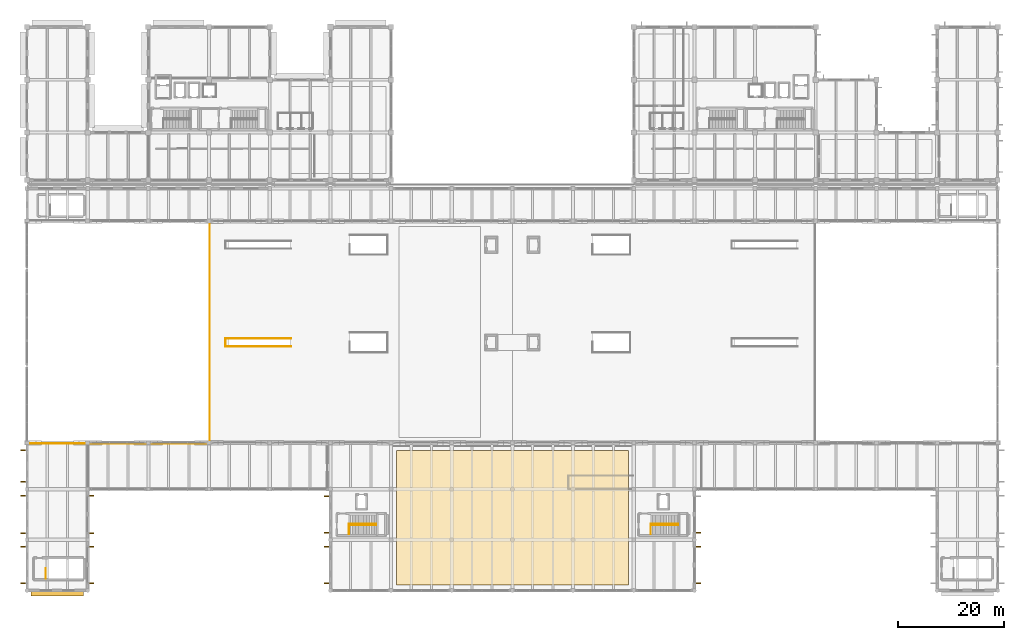
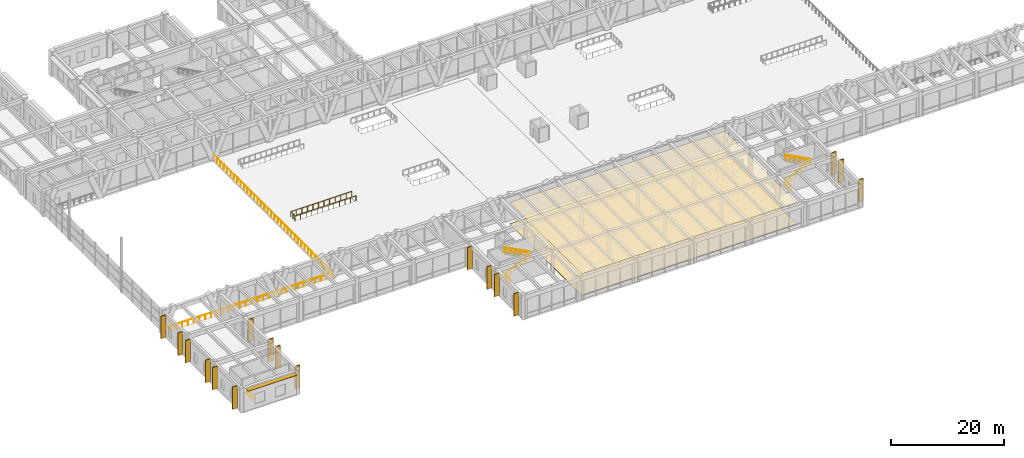
# One storey, part 142 of 148: 18 shading devices, 12 railings, 2 coverings.
"""IFC4 building model written with IfcOpenShell, lengths in metres."""

from ifc_helpers import new_model, si_unit, direction, frame, origin, origin_2d, place, context, subcontext, project, spatial, polyline, rectangle, circle, outline, extrude, material, layer, layer_set, type_object, element, save


model = new_model("IFC4")

# Units and contexts
model_context = context("Model", 3, precision=1e-05, world=origin(), true_north=direction((0.0, 1.0)))
body_context = subcontext(model_context, "Body", "Model", "MODEL_VIEW")
ifc_project = project(units=[si_unit("LENGTHUNIT", "METRE"), si_unit("AREAUNIT", "SQUARE_METRE"), si_unit("VOLUMEUNIT", "CUBIC_METRE"), si_unit("PLANEANGLEUNIT", "RADIAN"), si_unit("MASSUNIT", "GRAM", prefix="KILO")], contexts=[model_context])

# Site, building, storey
site_placement = place(None, origin())
site = spatial("IfcSite", under=ifc_project, at=site_placement, CompositionType="ELEMENT")
building_placement = place(site_placement, origin())
building = spatial("IfcBuilding", under=site, at=building_placement, Name="Ologun Quay Terminus", CompositionType="ELEMENT")
storey_placement = place(building_placement, frame((0.0, 0.0, 8.39990234375)))
storey = spatial("IfcBuildingStorey", under=building, at=storey_placement, Name="L02", CompositionType="ELEMENT", Elevation=8.39990234375)

# Railings
ifc_material_1 = material(Name="Glass", Category="glass")
railing_type_1 = type_object("IfcRailingType", Name="Concourse & Atrium Glazed Balustrade 1150", PredefinedType="BALUSTRADE", material=ifc_material_1)
railing_1_placement = place(storey_placement, frame((50.050048828125, 54.25, 0.0)))
element("IfcRailing", 1, at=railing_1_placement, inside=storey, type_object=railing_type_1, Name="BL-GL Escalator Well Balustrade ESC-01", PredefinedType="BALUSTRADE", context=body_context, shape_type="SweptSolid", body=[
    extrude(circle(Radius=0.02392578125, at=origin_2d()), frame((0.0, 0.0, 1.1259765625), z_axis=(-1.0, 0.0, 0.0), x_axis=(0.0, -1.0, 0.0)), (0.0, 0.0, 1.0), 12.449951171875),
    extrude(circle(Radius=0.02392578125, at=origin_2d()), frame((-12.449951171875, 0.0, 1.1259765625), z_axis=(0.0, 1.0, 0.0), x_axis=(-1.0, 0.0, 0.0)), (0.0, 0.0, 1.0), 1.5),
    extrude(circle(Radius=0.02392578125, at=origin_2d()), frame((-12.449951171875, 1.5, 1.1259765625), z_axis=(1.0, 0.0, 0.0), x_axis=(0.0, 1.0, 0.0)), (0.0, 0.0, 1.0), 12.449951171875),
    extrude(circle(Radius=0.02099609375, at=origin_2d()), origin(), (0.0, 0.0, 1.0), 1.101806640625),
    extrude(circle(Radius=0.02099609375, at=origin_2d()), frame((-1.1318359375, 0.0, 0.0)), (0.0, 0.0, 1.0), 1.101806640625),
    extrude(circle(Radius=0.02099609375, at=origin_2d()), frame((-2.263671875, 0.0, 0.0)), (0.0, 0.0, 1.0), 1.101806640625),
    extrude(circle(Radius=0.02099609375, at=origin_2d()), frame((-3.3955078125, 0.0, 0.0)), (0.0, 0.0, 1.0), 1.101806640625),
    extrude(circle(Radius=0.02099609375, at=origin_2d()), frame((-4.52734375, 0.0, 0.0)), (0.0, 0.0, 1.0), 1.101806640625),
    extrude(circle(Radius=0.02099609375, at=origin_2d()), frame((-5.6591796875, 0.0, 0.0)), (0.0, 0.0, 1.0), 1.101806640625),
    extrude(circle(Radius=0.02099609375, at=origin_2d()), frame((-6.790771484375, 0.0, 0.0)), (0.0, 0.0, 1.0), 1.101806640625),
    extrude(circle(Radius=0.02099609375, at=origin_2d()), frame((-7.922607421875, 0.0, 0.0)), (0.0, 0.0, 1.0), 1.101806640625),
    extrude(circle(Radius=0.02099609375, at=origin_2d()), frame((-9.054443359375, 0.0, 0.0)), (0.0, 0.0, 1.0), 1.101806640625),
    extrude(circle(Radius=0.02099609375, at=origin_2d()), frame((-10.186279296875, 0.0, 0.0)), (0.0, 0.0, 1.0), 1.101806640625),
    extrude(circle(Radius=0.02099609375, at=origin_2d()), frame((-11.318115234375, 0.0, 0.0)), (0.0, 0.0, 1.0), 1.101806640625),
    extrude(circle(Radius=0.02099609375, at=origin_2d()), frame((-12.449951171875, 0.0, 0.0)), (0.0, 0.0, 1.0), 1.101806640625),
    extrude(circle(Radius=0.02099609375, at=origin_2d()), frame((-12.449951171875, 0.75, 0.0)), (0.0, 0.0, 1.0), 1.101806640625),
    extrude(circle(Radius=0.02099609375, at=origin_2d()), frame((-12.449951171875, 1.5, 0.0)), (0.0, 0.0, 1.0), 1.101806640625),
    extrude(circle(Radius=0.02099609375, at=origin_2d()), frame((-11.318115234375, 1.5, 0.0)), (0.0, 0.0, 1.0), 1.101806640625),
    extrude(circle(Radius=0.02099609375, at=origin_2d()), frame((-10.186279296875, 1.5, 0.0)), (0.0, 0.0, 1.0), 1.101806640625),
    extrude(circle(Radius=0.02099609375, at=origin_2d()), frame((-9.054443359375, 1.5, 0.0)), (0.0, 0.0, 1.0), 1.101806640625),
    extrude(circle(Radius=0.02099609375, at=origin_2d()), frame((-7.922607421875, 1.5, 0.0)), (0.0, 0.0, 1.0), 1.101806640625),
    extrude(circle(Radius=0.02099609375, at=origin_2d()), frame((-6.790771484375, 1.5, 0.0)), (0.0, 0.0, 1.0), 1.101806640625),
    extrude(circle(Radius=0.02099609375, at=origin_2d()), frame((-5.6591796875, 1.5, 0.0)), (0.0, 0.0, 1.0), 1.101806640625),
    extrude(circle(Radius=0.02099609375, at=origin_2d()), frame((-4.52734375, 1.5, 0.0)), (0.0, 0.0, 1.0), 1.101806640625),
    extrude(circle(Radius=0.02099609375, at=origin_2d()), frame((-3.3955078125, 1.5, 0.0)), (0.0, 0.0, 1.0), 1.101806640625),
    extrude(circle(Radius=0.02099609375, at=origin_2d()), frame((-2.263671875, 1.5, 0.0)), (0.0, 0.0, 1.0), 1.101806640625),
    extrude(circle(Radius=0.02099609375, at=origin_2d()), frame((-1.1318359375, 1.5, 0.0)), (0.0, 0.0, 1.0), 1.101806640625),
    extrude(circle(Radius=0.02099609375, at=origin_2d()), frame((0.0, 1.5, 0.0)), (0.0, 0.0, 1.0), 1.101806640625),
])
railing_2_placement = place(storey_placement, frame((34.64990234375, 36.14990234375, 0.0)))
element("IfcRailing", 2, at=railing_2_placement, inside=storey, type_object=railing_type_1, Name="BL-GL Concourse Bridge W Balustrade L02", PredefinedType="BALUSTRADE", context=body_context, shape_type="SweptSolid", body=[
    extrude(circle(Radius=0.02392578125, at=origin_2d()), frame((0.0, 0.0, 1.1259765625), z_axis=(0.0, 1.0, 0.0), x_axis=(-1.0, 0.0, 0.0)), (0.0, 0.0, 1.0), 41.7001953125),
    extrude(circle(Radius=0.02099609375, at=origin_2d()), origin(), (0.0, 0.0, 1.0), 1.101806640625),
    extrude(circle(Radius=0.02099609375, at=origin_2d()), frame((0.0, 1.19140625, 0.0)), (0.0, 0.0, 1.0), 1.101806640625),
    extrude(circle(Radius=0.02099609375, at=origin_2d()), frame((0.0, 2.3828125, 0.0)), (0.0, 0.0, 1.0), 1.101806640625),
    extrude(circle(Radius=0.02099609375, at=origin_2d()), frame((0.0, 3.57421875, 0.0)), (0.0, 0.0, 1.0), 1.101806640625),
    extrude(circle(Radius=0.02099609375, at=origin_2d()), frame((0.0, 4.765625, 0.0)), (0.0, 0.0, 1.0), 1.101806640625),
    extrude(circle(Radius=0.02099609375, at=origin_2d()), frame((0.0, 5.957275390625, 0.0)), (0.0, 0.0, 1.0), 1.101806640625),
    extrude(circle(Radius=0.02099609375, at=origin_2d()), frame((0.0, 7.148681640625, 0.0)), (0.0, 0.0, 1.0), 1.101806640625),
    extrude(circle(Radius=0.02099609375, at=origin_2d()), frame((0.0, 8.340087890625, 0.0)), (0.0, 0.0, 1.0), 1.101806640625),
    extrude(circle(Radius=0.02099609375, at=origin_2d()), frame((0.0, 9.531494140625, 0.0)), (0.0, 0.0, 1.0), 1.101806640625),
    extrude(circle(Radius=0.02099609375, at=origin_2d()), frame((0.0, 10.722900390625, 0.0)), (0.0, 0.0, 1.0), 1.101806640625),
    extrude(circle(Radius=0.02099609375, at=origin_2d()), frame((0.0, 11.914306640625, 0.0)), (0.0, 0.0, 1.0), 1.101806640625),
    extrude(circle(Radius=0.02099609375, at=origin_2d()), frame((0.0, 13.105712890625, 0.0)), (0.0, 0.0, 1.0), 1.101806640625),
    extrude(circle(Radius=0.02099609375, at=origin_2d()), frame((0.0, 14.297119140625, 0.0)), (0.0, 0.0, 1.0), 1.101806640625),
    extrude(circle(Radius=0.02099609375, at=origin_2d()), frame((0.0, 15.488525390625, 0.0)), (0.0, 0.0, 1.0), 1.101806640625),
    extrude(circle(Radius=0.02099609375, at=origin_2d()), frame((0.0, 16.68017578125, 0.0)), (0.0, 0.0, 1.0), 1.101806640625),
    extrude(circle(Radius=0.02099609375, at=origin_2d()), frame((0.0, 17.87158203125, 0.0)), (0.0, 0.0, 1.0), 1.101806640625),
    extrude(circle(Radius=0.02099609375, at=origin_2d()), frame((0.0, 19.06298828125, 0.0)), (0.0, 0.0, 1.0), 1.101806640625),
    extrude(circle(Radius=0.02099609375, at=origin_2d()), frame((0.0, 20.25439453125, 0.0)), (0.0, 0.0, 1.0), 1.101806640625),
    extrude(circle(Radius=0.02099609375, at=origin_2d()), frame((0.0, 21.44580078125, 0.0)), (0.0, 0.0, 1.0), 1.101806640625),
    extrude(circle(Radius=0.02099609375, at=origin_2d()), frame((0.0, 22.63720703125, 0.0)), (0.0, 0.0, 1.0), 1.101806640625),
    extrude(circle(Radius=0.02099609375, at=origin_2d()), frame((0.0, 23.82861328125, 0.0)), (0.0, 0.0, 1.0), 1.101806640625),
    extrude(circle(Radius=0.02099609375, at=origin_2d()), frame((0.0, 25.02001953125, 0.0)), (0.0, 0.0, 1.0), 1.101806640625),
    extrude(circle(Radius=0.02099609375, at=origin_2d()), frame((0.0, 26.211669921875, 0.0)), (0.0, 0.0, 1.0), 1.101806640625),
    extrude(circle(Radius=0.02099609375, at=origin_2d()), frame((0.0, 27.403076171875, 0.0)), (0.0, 0.0, 1.0), 1.101806640625),
    extrude(circle(Radius=0.02099609375, at=origin_2d()), frame((0.0, 28.594482421875, 0.0)), (0.0, 0.0, 1.0), 1.101806640625),
    extrude(circle(Radius=0.02099609375, at=origin_2d()), frame((0.0, 29.785888671875, 0.0)), (0.0, 0.0, 1.0), 1.101806640625),
    extrude(circle(Radius=0.02099609375, at=origin_2d()), frame((0.0, 30.977294921875, 0.0)), (0.0, 0.0, 1.0), 1.101806640625),
    extrude(circle(Radius=0.02099609375, at=origin_2d()), frame((0.0, 32.168701171875, 0.0)), (0.0, 0.0, 1.0), 1.101806640625),
    extrude(circle(Radius=0.02099609375, at=origin_2d()), frame((0.0, 33.360107421875, 0.0)), (0.0, 0.0, 1.0), 1.101806640625),
    extrude(circle(Radius=0.02099609375, at=origin_2d()), frame((0.0, 34.551513671875, 0.0)), (0.0, 0.0, 1.0), 1.101806640625),
    extrude(circle(Radius=0.02099609375, at=origin_2d()), frame((0.0, 35.742919921875, 0.0)), (0.0, 0.0, 1.0), 1.101806640625),
    extrude(circle(Radius=0.02099609375, at=origin_2d()), frame((0.0, 36.9345703125, 0.0)), (0.0, 0.0, 1.0), 1.101806640625),
    extrude(circle(Radius=0.02099609375, at=origin_2d()), frame((0.0, 38.1259765625, 0.0)), (0.0, 0.0, 1.0), 1.101806640625),
    extrude(circle(Radius=0.02099609375, at=origin_2d()), frame((0.0, 39.3173828125, 0.0)), (0.0, 0.0, 1.0), 1.101806640625),
    extrude(circle(Radius=0.02099609375, at=origin_2d()), frame((0.0, 40.5087890625, 0.0)), (0.0, 0.0, 1.0), 1.101806640625),
    extrude(circle(Radius=0.02099609375, at=origin_2d()), frame((0.0, 41.7001953125, 0.0)), (0.0, 0.0, 1.0), 1.101806640625),
])
railing_3_placement = place(storey_placement, frame((0.39990234375, 35.85009765625, 0.0)))
element("IfcRailing", 3, at=railing_3_placement, inside=storey, type_object=railing_type_1, Name="BL-GL South Concourse Edge Balustrade SW L02", PredefinedType="BALUSTRADE", context=body_context, shape_type="SweptSolid", body=[
    extrude(circle(Radius=0.02392578125, at=origin_2d()), frame((0.0, 0.0, 1.1259765625), z_axis=(1.0, 0.0, 0.0), x_axis=(0.0, 1.0, 0.0)), (0.0, 0.0, 1.0), 34.25),
    extrude(circle(Radius=0.02099609375, at=origin_2d()), origin(), (0.0, 0.0, 1.0), 1.101806640625),
    extrude(circle(Radius=0.02099609375, at=origin_2d()), frame((1.18115234375, 0.0, 0.0)), (0.0, 0.0, 1.0), 1.101806640625),
    extrude(circle(Radius=0.02099609375, at=origin_2d()), frame((2.362060546875, 0.0, 0.0)), (0.0, 0.0, 1.0), 1.101806640625),
    extrude(circle(Radius=0.02099609375, at=origin_2d()), frame((3.543212890625, 0.0, 0.0)), (0.0, 0.0, 1.0), 1.101806640625),
    extrude(circle(Radius=0.02099609375, at=origin_2d()), frame((4.72412109375, 0.0, 0.0)), (0.0, 0.0, 1.0), 1.101806640625),
    extrude(circle(Radius=0.02099609375, at=origin_2d()), frame((5.9052734375, 0.0, 0.0)), (0.0, 0.0, 1.0), 1.101806640625),
    extrude(circle(Radius=0.02099609375, at=origin_2d()), frame((7.086181640625, 0.0, 0.0)), (0.0, 0.0, 1.0), 1.101806640625),
    extrude(circle(Radius=0.02099609375, at=origin_2d()), frame((8.267333984375, 0.0, 0.0)), (0.0, 0.0, 1.0), 1.101806640625),
    extrude(circle(Radius=0.02099609375, at=origin_2d()), frame((9.4482421875, 0.0, 0.0)), (0.0, 0.0, 1.0), 1.101806640625),
    extrude(circle(Radius=0.02099609375, at=origin_2d()), frame((10.62939453125, 0.0, 0.0)), (0.0, 0.0, 1.0), 1.101806640625),
    extrude(circle(Radius=0.02099609375, at=origin_2d()), frame((11.810302734375, 0.0, 0.0)), (0.0, 0.0, 1.0), 1.101806640625),
    extrude(circle(Radius=0.02099609375, at=origin_2d()), frame((12.991455078125, 0.0, 0.0)), (0.0, 0.0, 1.0), 1.101806640625),
    extrude(circle(Radius=0.02099609375, at=origin_2d()), frame((14.17236328125, 0.0, 0.0)), (0.0, 0.0, 1.0), 1.101806640625),
    extrude(circle(Radius=0.02099609375, at=origin_2d()), frame((15.353515625, 0.0, 0.0)), (0.0, 0.0, 1.0), 1.101806640625),
    extrude(circle(Radius=0.02099609375, at=origin_2d()), frame((16.534423828125, 0.0, 0.0)), (0.0, 0.0, 1.0), 1.101806640625),
    extrude(circle(Radius=0.02099609375, at=origin_2d()), frame((17.715576171875, 0.0, 0.0)), (0.0, 0.0, 1.0), 1.101806640625),
    extrude(circle(Radius=0.02099609375, at=origin_2d()), frame((18.896484375, 0.0, 0.0)), (0.0, 0.0, 1.0), 1.101806640625),
    extrude(circle(Radius=0.02099609375, at=origin_2d()), frame((20.07763671875, 0.0, 0.0)), (0.0, 0.0, 1.0), 1.101806640625),
    extrude(circle(Radius=0.02099609375, at=origin_2d()), frame((21.258544921875, 0.0, 0.0)), (0.0, 0.0, 1.0), 1.101806640625),
    extrude(circle(Radius=0.02099609375, at=origin_2d()), frame((22.439697265625, 0.0, 0.0)), (0.0, 0.0, 1.0), 1.101806640625),
    extrude(circle(Radius=0.02099609375, at=origin_2d()), frame((23.62060546875, 0.0, 0.0)), (0.0, 0.0, 1.0), 1.101806640625),
    extrude(circle(Radius=0.02099609375, at=origin_2d()), frame((24.8017578125, 0.0, 0.0)), (0.0, 0.0, 1.0), 1.101806640625),
    extrude(circle(Radius=0.02099609375, at=origin_2d()), frame((25.982666015625, 0.0, 0.0)), (0.0, 0.0, 1.0), 1.101806640625),
    extrude(circle(Radius=0.02099609375, at=origin_2d()), frame((27.163818359375, 0.0, 0.0)), (0.0, 0.0, 1.0), 1.101806640625),
    extrude(circle(Radius=0.02099609375, at=origin_2d()), frame((28.3447265625, 0.0, 0.0)), (0.0, 0.0, 1.0), 1.101806640625),
    extrude(circle(Radius=0.02099609375, at=origin_2d()), frame((29.52587890625, 0.0, 0.0)), (0.0, 0.0, 1.0), 1.101806640625),
    extrude(circle(Radius=0.02099609375, at=origin_2d()), frame((30.706787109375, 0.0, 0.0)), (0.0, 0.0, 1.0), 1.101806640625),
    extrude(circle(Radius=0.02099609375, at=origin_2d()), frame((31.887939453125, 0.0, 0.0)), (0.0, 0.0, 1.0), 1.101806640625),
    extrude(circle(Radius=0.02099609375, at=origin_2d()), frame((33.06884765625, 0.0, 0.0)), (0.0, 0.0, 1.0), 1.101806640625),
    extrude(circle(Radius=0.02099609375, at=origin_2d()), frame((34.25, 0.0, 0.0)), (0.0, 0.0, 1.0), 1.101806640625),
])

# Shading device
ifc_material_2 = material(Name="Aluminium 6063-T6", Category="aluminium")
ifc_layer_1 = layer(ifc_material_2, 0.080078125)
ifc_layer_set_1 = layer_set([ifc_layer_1], Name="Aluminium 6063-T6")
shading_device_type_1 = type_object("IfcShadingDeviceType", Name="Horizontal Extruded Aluminium Sun Louvre 900", PredefinedType="JALOUSIE", material=ifc_layer_set_1)
shading_device_placement = place(storey_placement, frame((5.75, 7.419921875, 4.75), z_axis=(0.0, 0.0, 1.0), x_axis=(1.0, 0.0, 0.0)))
element("IfcShadingDevice", 4, at=shading_device_placement, inside=storey, type_object=shading_device_type_1, Name="SD-01 Sun-Hood WEW-SA-L02-1-1", PredefinedType="JALOUSIE", context=body_context, shape_type="SweptSolid", body=[
    extrude(rectangle(XDim=9.909912109375, YDim=0.89990234375, at=origin_2d()), origin(), (0.0, 0.0, 1.0), 0.080078125),
])

# Covering
ifc_material_3 = material(Name="Aluminium 6063-T6", Category="aluminium")
ifc_layer_2 = layer(ifc_material_3, 0.034912109375)
ifc_layer_set_2 = layer_set([ifc_layer_2], Name="Aluminium 6063-T6")
covering_type_1 = type_object("IfcCoveringType", Name="Perforated Aluminium Acoustic Baffle Ceiling 35", PredefinedType="CEILING", material=ifc_layer_set_2)
covering_1_placement = place(storey_placement, frame((0.0, 0.0, 4.650146484375)))
element("IfcCovering", 5, at=covering_1_placement, inside=storey, type_object=covering_type_1, Name="CV-CL1 Acoustic Ceiling 4", PredefinedType="CEILING", context=body_context, shape_type="SweptSolid", body=[
    extrude(outline(polyline([(70.0, 9.0), (114.0, 9.0), (114.0, 34.5), (70.0, 34.5), (70.0, 9.0)])), origin(), (0.0, 0.0, 1.0), 0.034912109375),
])

# Shading devices
ifc_material_4 = material(Name="Concrete C40/50", Category="concrete")
ifc_layer_3 = layer(ifc_material_4, 0.179931640625)
ifc_layer_set_3 = layer_set([ifc_layer_3], Name="Concrete C40/50")
shading_device_type_2 = type_object("IfcShadingDeviceType", Name="Sculpted Concrete Vertical Solar Fin 1050x180", PredefinedType="USERDEFINED", material=ifc_layer_set_3)
for number, where, z_axis, x_axis, name in (
    (6, (12.155029296875, 9.344970703125, 0.14990234375), (0.0, 0.0, 1.0), (1.0, 0.0, 0.0), "SD-04 Vertical Solar Fin WEW-SA-L02-1-2-1"),
    (7, (12.155029296875, 16.330078125, 0.14990234375), (0.0, 0.0, 1.0), (1.0, 0.0, 0.0), "SD-04 Vertical Solar Fin WEW-SA-L02-1-2-2"),
    (8, (12.155029296875, 18.8701171875, 0.14990234375), (0.0, 0.0, 1.0), (1.0, 0.0, 0.0), "SD-04 Vertical Solar Fin WEW-SA-L02-1-3-1"),
    (9, (12.155029296875, 25.929931640625, 0.14990234375), (0.0, 0.0, 1.0), (1.0, 0.0, 0.0), "SD-04 Vertical Solar Fin WEW-SA-L02-1-3-2"),
    (10, (-0.655029296875, 9.344970703125, 0.14990234375), (0.0, 0.0, 1.0), (1.0, 0.0, 0.0), "SD-04 Vertical Solar Fin WEW-SA-L02-1-14-1"),
    (11, (-0.655029296875, 16.330078125, 0.14990234375), (0.0, 0.0, 1.0), (1.0, 0.0, 0.0), "SD-04 Vertical Solar Fin WEW-SA-L02-1-14-2"),
    (12, (-0.655029296875, 18.8701171875, 0.14990234375), (0.0, 0.0, 1.0), (1.0, 0.0, 0.0), "SD-04 Vertical Solar Fin WEW-SA-L02-1-15-1"),
    (13, (-0.655029296875, 25.929931640625, 0.14990234375), (0.0, 0.0, 1.0), (1.0, 0.0, 0.0), "SD-04 Vertical Solar Fin WEW-SA-L02-1-15-2"),
    (14, (-0.655029296875, 28.570068359375, 0.14990234375), (0.0, 0.0, 1.0), (1.0, 0.0, 0.0), "SD-04 Vertical Solar Fin WEW-SA-L02-1-16-1"),
    (15, (-0.655029296875, 34.554931640625, 0.14990234375), (0.0, 0.0, 1.0), (1.0, 0.0, 0.0), "SD-04 Vertical Solar Fin WEW-SA-L02-1-16-2"),
    (16, (127.155029296875, 9.344970703125, 0.14990234375), (0.0, 0.0, 1.0), (1.0, 0.0, 0.0), "SD-04 Vertical Solar Fin WEW-SA-L02-2-7-1"),
    (17, (127.155029296875, 16.2548828125, 0.14990234375), (0.0, 0.0, 1.0), (1.0, 0.0, 0.0), "SD-04 Vertical Solar Fin WEW-SA-L02-2-7-2"),
    (18, (127.155029296875, 18.945068359375, 0.14990234375), (0.0, 0.0, 1.0), (1.0, 0.0, 0.0), "SD-04 Vertical Solar Fin WEW-SA-L02-2-8-1"),
    (19, (56.844970703125, 9.344970703125, 0.14990234375), (0.0, 0.0, 1.0), (1.0, 0.0, 0.0), "SD-04 Vertical Solar Fin WEW-SA-L02-2-16-1"),
    (20, (56.844970703125, 16.2548828125, 0.14990234375), (0.0, 0.0, 1.0), (1.0, 0.0, 0.0), "SD-04 Vertical Solar Fin WEW-SA-L02-2-16-2"),
    (21, (56.844970703125, 18.945068359375, 0.14990234375), (0.0, 0.0, 1.0), (1.0, 0.0, 0.0), "SD-04 Vertical Solar Fin WEW-SA-L02-2-17-1"),
    (22, (56.844970703125, 25.85498046875, 0.14990234375), (0.0, 0.0, 1.0), (1.0, 0.0, 0.0), "SD-04 Vertical Solar Fin WEW-SA-L02-2-17-2"),
):
    element("IfcShadingDevice", number, at=place(storey_placement, frame(where, z_axis=z_axis, x_axis=x_axis)), inside=storey, type_object=shading_device_type_2, Name=name, ObjectType="SOLAR FIN", PredefinedType="USERDEFINED", context=body_context, shape_type="SweptSolid", body=[
        extrude(rectangle(XDim=1.050048828125, YDim=0.179931640625, at=origin_2d()), origin(), (0.0, 0.0, 1.0), 4.840087890625),
    ])

# Railings
ifc_material_5 = material(Name="Steel S355", Category="steel")
railing_type_2 = type_object("IfcRailingType", Name="Stair & Landing Steel Guardrail 1100", PredefinedType="GUARDRAIL", material=ifc_material_5)
railing_4_placement = place(storey_placement, frame((3.56005859375, 12.18994140625, 0.0)))
element("IfcRailing", 23, at=railing_4_placement, inside=storey, type_object=railing_type_2, Name="GR-ST Stair Floor Edge Guard ST-S1 L02", PredefinedType="GUARDRAIL", context=body_context, shape_type="SweptSolid", body=[
    extrude(circle(Radius=0.02392578125, at=origin_2d()), frame((0.0, 0.0, 1.076171875), z_axis=(0.0, -1.0, 0.0), x_axis=(1.0, 0.0, 0.0)), (0.0, 0.0, 1.0), 1.929931640625),
    extrude(circle(Radius=0.02099609375, at=origin_2d()), origin(), (0.0, 0.0, 1.0), 1.052001953125),
    extrude(circle(Radius=0.02099609375, at=origin_2d()), frame((0.0, -0.96484375, 0.0)), (0.0, 0.0, 1.0), 1.052001953125),
    extrude(circle(Radius=0.02099609375, at=origin_2d()), frame((0.0, -1.929931640625, 0.0)), (0.0, 0.0, 1.0), 1.052001953125),
])
railing_5_placement = place(storey_placement, frame((61.010009765625, 20.590087890625, 0.0)))
element("IfcRailing", 24, at=railing_5_placement, inside=storey, type_object=railing_type_2, Name="GR-ST Stair Floor Edge Guard ST-S3 L02", PredefinedType="GUARDRAIL", context=body_context, shape_type="SweptSolid", body=[
    extrude(circle(Radius=0.02392578125, at=origin_2d()), frame((0.0, 0.0, 1.076171875), z_axis=(0.0, -1.0, 0.0), x_axis=(1.0, 0.0, 0.0)), (0.0, 0.0, 1.0), 1.93017578125),
    extrude(circle(Radius=0.02099609375, at=origin_2d()), origin(), (0.0, 0.0, 1.0), 1.052001953125),
    extrude(circle(Radius=0.02099609375, at=origin_2d()), frame((0.0, -0.965087890625, 0.0)), (0.0, 0.0, 1.0), 1.052001953125),
    extrude(circle(Radius=0.02099609375, at=origin_2d()), frame((0.0, -1.93017578125, 0.0)), (0.0, 0.0, 1.0), 1.052001953125),
])
railing_6_placement = place(storey_placement, frame((61.050048828125, 20.39990234375, 0.0)))
element("IfcRailing", 25, at=railing_6_placement, inside=storey, type_object=railing_type_2, Name="GR-ST Stair Inner Well Guard ST-S3 L02", PredefinedType="GUARDRAIL", context=body_context, shape_type="SweptSolid", body=[
    extrude(circle(Radius=0.02392578125, at=origin_2d()), frame((0.0, 0.0, 1.076171875), z_axis=(0.884899950973, 0.0, 0.465781146857), x_axis=(0.0, 1.0, 0.0)), (0.0, 0.0, 1.0), 5.797119140625),
    extrude(circle(Radius=0.02392578125, at=origin_2d()), frame((5.1298828125, 0.0, 3.7763671875), z_axis=(0.0, 1.0, 0.0), x_axis=(-1.0, 0.0, 0.0)), (0.0, 0.0, 1.0), 0.2001953125),
    extrude(circle(Radius=0.02392578125, at=origin_2d()), frame((5.1298828125, 0.2001953125, 3.7763671875), z_axis=(-0.884917308826, 0.0, 0.465748168585), x_axis=(0.0, -1.0, 0.0)), (0.0, 0.0, 1.0), 5.797119140625),
    extrude(circle(Radius=0.02099609375, at=origin_2d()), origin(), (0.0, 0.0, 1.0), 1.052001953125),
    extrude(circle(Radius=0.02099609375, at=origin_2d()), frame((1.02587890625, 0.0, 0.5400390625)), (0.0, 0.0, 1.0), 1.052001953125),
    extrude(circle(Radius=0.02099609375, at=origin_2d()), frame((2.052001953125, 0.0, 1.080078125)), (0.0, 0.0, 1.0), 1.052001953125),
    extrude(circle(Radius=0.02099609375, at=origin_2d()), frame((3.077880859375, 0.0, 1.6201171875)), (0.0, 0.0, 1.0), 1.052001953125),
    extrude(circle(Radius=0.02099609375, at=origin_2d()), frame((4.10400390625, 0.0, 2.16015625)), (0.0, 0.0, 1.0), 1.052001953125),
    extrude(circle(Radius=0.02099609375, at=origin_2d()), frame((5.1298828125, 0.0, 2.7001953125)), (0.0, 0.0, 1.0), 1.052001953125),
    extrude(circle(Radius=0.02099609375, at=origin_2d()), frame((5.1298828125, 0.2001953125, 2.7001953125)), (0.0, 0.0, 1.0), 1.052001953125),
    extrude(circle(Radius=0.02099609375, at=origin_2d()), frame((4.10400390625, 0.2001953125, 3.240234375)), (0.0, 0.0, 1.0), 1.052001953125),
    extrude(circle(Radius=0.02099609375, at=origin_2d()), frame((3.077880859375, 0.2001953125, 3.7802734375)), (0.0, 0.0, 1.0), 1.052001953125),
    extrude(circle(Radius=0.02099609375, at=origin_2d()), frame((2.052001953125, 0.2001953125, 4.320068359375)), (0.0, 0.0, 1.0), 1.052001953125),
    extrude(circle(Radius=0.02099609375, at=origin_2d()), frame((1.02587890625, 0.2001953125, 4.860107421875)), (0.0, 0.0, 1.0), 1.052001953125),
    extrude(circle(Radius=0.02099609375, at=origin_2d()), frame((0.0, 0.2001953125, 5.400146484375)), (0.0, 0.0, 1.0), 1.052001953125),
])
railing_7_placement = place(storey_placement, frame((118.2099609375, 20.590087890625, 0.0)))
element("IfcRailing", 26, at=railing_7_placement, inside=storey, type_object=railing_type_2, Name="GR-ST Stair Floor Edge Guard ST-S4 L02", PredefinedType="GUARDRAIL", context=body_context, shape_type="SweptSolid", body=[
    extrude(circle(Radius=0.02392578125, at=origin_2d()), frame((0.0, 0.0, 1.076171875), z_axis=(0.0, -1.0, 0.0), x_axis=(1.0, 0.0, 0.0)), (0.0, 0.0, 1.0), 1.93017578125),
    extrude(circle(Radius=0.02099609375, at=origin_2d()), origin(), (0.0, 0.0, 1.0), 1.052001953125),
    extrude(circle(Radius=0.02099609375, at=origin_2d()), frame((0.0, -0.965087890625, 0.0)), (0.0, 0.0, 1.0), 1.052001953125),
    extrude(circle(Radius=0.02099609375, at=origin_2d()), frame((0.0, -1.93017578125, 0.0)), (0.0, 0.0, 1.0), 1.052001953125),
])
railing_8_placement = place(storey_placement, frame((118.25, 20.39990234375, 0.0)))
element("IfcRailing", 27, at=railing_8_placement, inside=storey, type_object=railing_type_2, Name="GR-ST Stair Inner Well Guard ST-S4 L02", PredefinedType="GUARDRAIL", context=body_context, shape_type="SweptSolid", body=[
    extrude(circle(Radius=0.02392578125, at=origin_2d()), frame((0.0, 0.0, 1.076171875), z_axis=(0.884899950973, 0.0, 0.465781146857), x_axis=(0.0, 1.0, 0.0)), (0.0, 0.0, 1.0), 5.797119140625),
    extrude(circle(Radius=0.02392578125, at=origin_2d()), frame((5.1298828125, 0.0, 3.7763671875), z_axis=(0.0, 1.0, 0.0), x_axis=(-1.0, 0.0, 0.0)), (0.0, 0.0, 1.0), 0.2001953125),
    extrude(circle(Radius=0.02392578125, at=origin_2d()), frame((5.1298828125, 0.2001953125, 3.7763671875), z_axis=(-0.884917308826, 0.0, 0.465748168585), x_axis=(0.0, -1.0, 0.0)), (0.0, 0.0, 1.0), 5.797119140625),
    extrude(circle(Radius=0.02099609375, at=origin_2d()), origin(), (0.0, 0.0, 1.0), 1.052001953125),
    extrude(circle(Radius=0.02099609375, at=origin_2d()), frame((1.02587890625, 0.0, 0.5400390625)), (0.0, 0.0, 1.0), 1.052001953125),
    extrude(circle(Radius=0.02099609375, at=origin_2d()), frame((2.052001953125, 0.0, 1.080078125)), (0.0, 0.0, 1.0), 1.052001953125),
    extrude(circle(Radius=0.02099609375, at=origin_2d()), frame((3.077880859375, 0.0, 1.6201171875)), (0.0, 0.0, 1.0), 1.052001953125),
    extrude(circle(Radius=0.02099609375, at=origin_2d()), frame((4.10400390625, 0.0, 2.16015625)), (0.0, 0.0, 1.0), 1.052001953125),
    extrude(circle(Radius=0.02099609375, at=origin_2d()), frame((5.1298828125, 0.0, 2.7001953125)), (0.0, 0.0, 1.0), 1.052001953125),
    extrude(circle(Radius=0.02099609375, at=origin_2d()), frame((5.1298828125, 0.2001953125, 2.7001953125)), (0.0, 0.0, 1.0), 1.052001953125),
    extrude(circle(Radius=0.02099609375, at=origin_2d()), frame((4.10400390625, 0.2001953125, 3.240234375)), (0.0, 0.0, 1.0), 1.052001953125),
    extrude(circle(Radius=0.02099609375, at=origin_2d()), frame((3.077880859375, 0.2001953125, 3.7802734375)), (0.0, 0.0, 1.0), 1.052001953125),
    extrude(circle(Radius=0.02099609375, at=origin_2d()), frame((2.052001953125, 0.2001953125, 4.320068359375)), (0.0, 0.0, 1.0), 1.052001953125),
    extrude(circle(Radius=0.02099609375, at=origin_2d()), frame((1.02587890625, 0.2001953125, 4.860107421875)), (0.0, 0.0, 1.0), 1.052001953125),
    extrude(circle(Radius=0.02099609375, at=origin_2d()), frame((0.0, 0.2001953125, 5.400146484375)), (0.0, 0.0, 1.0), 1.052001953125),
])
ifc_material_6 = material(Name="Steel S355", Category="steel")
railing_type_3 = type_object("IfcRailingType", Name="Stair Stainless Tubular Handrail 920", PredefinedType="HANDRAIL", material=ifc_material_6)
railing_9_placement = place(storey_placement, frame((61.050048828125, 20.389892578125, 0.150146484375)))
element("IfcRailing", 28, at=railing_9_placement, inside=storey, type_object=railing_type_3, Name="HR-ST Handrail ST-S3-F1 L02", PredefinedType="HANDRAIL", context=body_context, shape_type="SweptSolid", body=[
    extrude(circle(Radius=0.02392578125, at=origin_2d()), frame((0.0, 0.0, 0.89599609375), z_axis=(0.894418627299, 0.0, 0.447230722492), x_axis=(0.0, 1.0, 0.0)), (0.0, 0.0, 1.0), 5.701904296875),
    extrude(circle(Radius=0.02099609375, at=origin_2d()), origin(), (0.0, 0.0, 1.0), 0.871826171875),
    extrude(circle(Radius=0.02099609375, at=origin_2d()), frame((1.02001953125, 0.0, 0.510009765625)), (0.0, 0.0, 1.0), 0.871826171875),
    extrude(circle(Radius=0.02099609375, at=origin_2d()), frame((2.0400390625, 0.0, 1.02001953125)), (0.0, 0.0, 1.0), 0.871826171875),
    extrude(circle(Radius=0.02099609375, at=origin_2d()), frame((3.059814453125, 0.0, 1.530029296875)), (0.0, 0.0, 1.0), 0.871826171875),
    extrude(circle(Radius=0.02099609375, at=origin_2d()), frame((4.079833984375, 0.0, 2.0400390625)), (0.0, 0.0, 1.0), 0.871826171875),
    extrude(circle(Radius=0.02099609375, at=origin_2d()), frame((5.099853515625, 0.0, 2.550048828125)), (0.0, 0.0, 1.0), 0.871826171875),
])
railing_10_placement = place(storey_placement, frame((66.14990234375, 20.610107421875, 2.85009765625)))
element("IfcRailing", 29, at=railing_10_placement, inside=storey, type_object=railing_type_3, Name="HR-ST Handrail ST-S3-F2 L02", PredefinedType="HANDRAIL", context=body_context, shape_type="SweptSolid", body=[
    extrude(circle(Radius=0.02392578125, at=origin_2d()), frame((0.0, 0.0, 0.89599609375), z_axis=(-0.894418627299, 0.0, 0.447230722492), x_axis=(0.0, -1.0, 0.0)), (0.0, 0.0, 1.0), 5.701904296875),
    extrude(circle(Radius=0.02099609375, at=origin_2d()), origin(), (0.0, 0.0, 1.0), 0.871826171875),
    extrude(circle(Radius=0.02099609375, at=origin_2d()), frame((-1.02001953125, 0.0, 0.510009765625)), (0.0, 0.0, 1.0), 0.871826171875),
    extrude(circle(Radius=0.02099609375, at=origin_2d()), frame((-2.0400390625, 0.0, 1.02001953125)), (0.0, 0.0, 1.0), 0.871826171875),
    extrude(circle(Radius=0.02099609375, at=origin_2d()), frame((-3.059814453125, 0.0, 1.530029296875)), (0.0, 0.0, 1.0), 0.871826171875),
    extrude(circle(Radius=0.02099609375, at=origin_2d()), frame((-4.079833984375, 0.0, 2.0400390625)), (0.0, 0.0, 1.0), 0.871826171875),
    extrude(circle(Radius=0.02099609375, at=origin_2d()), frame((-5.099853515625, 0.0, 2.550048828125)), (0.0, 0.0, 1.0), 0.871826171875),
])
railing_11_placement = place(storey_placement, frame((118.25, 20.389892578125, 0.150146484375)))
element("IfcRailing", 30, at=railing_11_placement, inside=storey, type_object=railing_type_3, Name="HR-ST Handrail ST-S4-F1 L02", PredefinedType="HANDRAIL", context=body_context, shape_type="SweptSolid", body=[
    extrude(circle(Radius=0.02392578125, at=origin_2d()), frame((0.0, 0.0, 0.89599609375), z_axis=(0.894427191, 0.0, 0.4472135955), x_axis=(0.0, 1.0, 0.0)), (0.0, 0.0, 1.0), 5.7021484375),
    extrude(circle(Radius=0.02099609375, at=origin_2d()), origin(), (0.0, 0.0, 1.0), 0.871826171875),
    extrude(circle(Radius=0.02099609375, at=origin_2d()), frame((1.02001953125, 0.0, 0.510009765625)), (0.0, 0.0, 1.0), 0.871826171875),
    extrude(circle(Radius=0.02099609375, at=origin_2d()), frame((2.0400390625, 0.0, 1.02001953125)), (0.0, 0.0, 1.0), 0.871826171875),
    extrude(circle(Radius=0.02099609375, at=origin_2d()), frame((3.06005859375, 0.0, 1.530029296875)), (0.0, 0.0, 1.0), 0.871826171875),
    extrude(circle(Radius=0.02099609375, at=origin_2d()), frame((4.080078125, 0.0, 2.0400390625)), (0.0, 0.0, 1.0), 0.871826171875),
    extrude(circle(Radius=0.02099609375, at=origin_2d()), frame((5.10009765625, 0.0, 2.550048828125)), (0.0, 0.0, 1.0), 0.871826171875),
])
railing_12_placement = place(storey_placement, frame((123.35009765625, 20.610107421875, 2.85009765625)))
element("IfcRailing", 31, at=railing_12_placement, inside=storey, type_object=railing_type_3, Name="HR-ST Handrail ST-S4-F2 L02", PredefinedType="HANDRAIL", context=body_context, shape_type="SweptSolid", body=[
    extrude(circle(Radius=0.02392578125, at=origin_2d()), frame((0.0, 0.0, 0.89599609375), z_axis=(-0.894427191, 0.0, 0.4472135955), x_axis=(0.0, -1.0, 0.0)), (0.0, 0.0, 1.0), 5.7021484375),
    extrude(circle(Radius=0.02099609375, at=origin_2d()), origin(), (0.0, 0.0, 1.0), 0.871826171875),
    extrude(circle(Radius=0.02099609375, at=origin_2d()), frame((-1.02001953125, 0.0, 0.510009765625)), (0.0, 0.0, 1.0), 0.871826171875),
    extrude(circle(Radius=0.02099609375, at=origin_2d()), frame((-2.0400390625, 0.0, 1.02001953125)), (0.0, 0.0, 1.0), 0.871826171875),
    extrude(circle(Radius=0.02099609375, at=origin_2d()), frame((-3.06005859375, 0.0, 1.530029296875)), (0.0, 0.0, 1.0), 0.871826171875),
    extrude(circle(Radius=0.02099609375, at=origin_2d()), frame((-4.080078125, 0.0, 2.0400390625)), (0.0, 0.0, 1.0), 0.871826171875),
    extrude(circle(Radius=0.02099609375, at=origin_2d()), frame((-5.10009765625, 0.0, 2.550048828125)), (0.0, 0.0, 1.0), 0.871826171875),
])

# Covering
ifc_material_7 = material(Name="Precast Concrete C40/50", Category="concrete")
ifc_layer_4 = layer(ifc_material_7, 0.0400390625)
ifc_layer_set_4 = layer_set([ifc_layer_4], Name="Precast Concrete C40/50")
covering_type_2 = type_object("IfcCoveringType", Name="Terrazzo Station Concourse Flooring 40", PredefinedType="FLOORING", material=ifc_layer_set_4)
covering_2_placement = place(storey_placement, origin())
element("IfcCovering", 32, at=covering_2_placement, inside=storey, type_object=covering_type_2, Name="CV-FL1 Interior Flooring 8", PredefinedType="FLOORING", context=body_context, shape_type="SweptSolid", body=[
    extrude(outline(polyline([(70.0, 9.0), (114.0, 9.0), (114.0, 34.5), (70.0, 34.5), (70.0, 9.0)])), origin(), (0.0, 0.0, 1.0), 0.0400390625),
])

save(model, "model.ifc")
